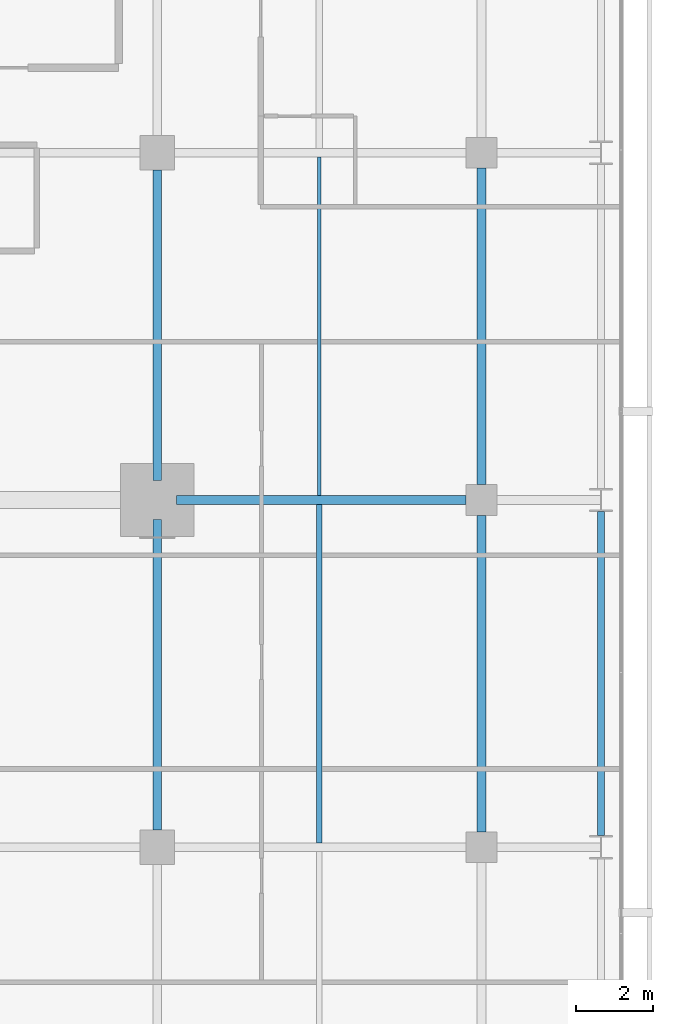
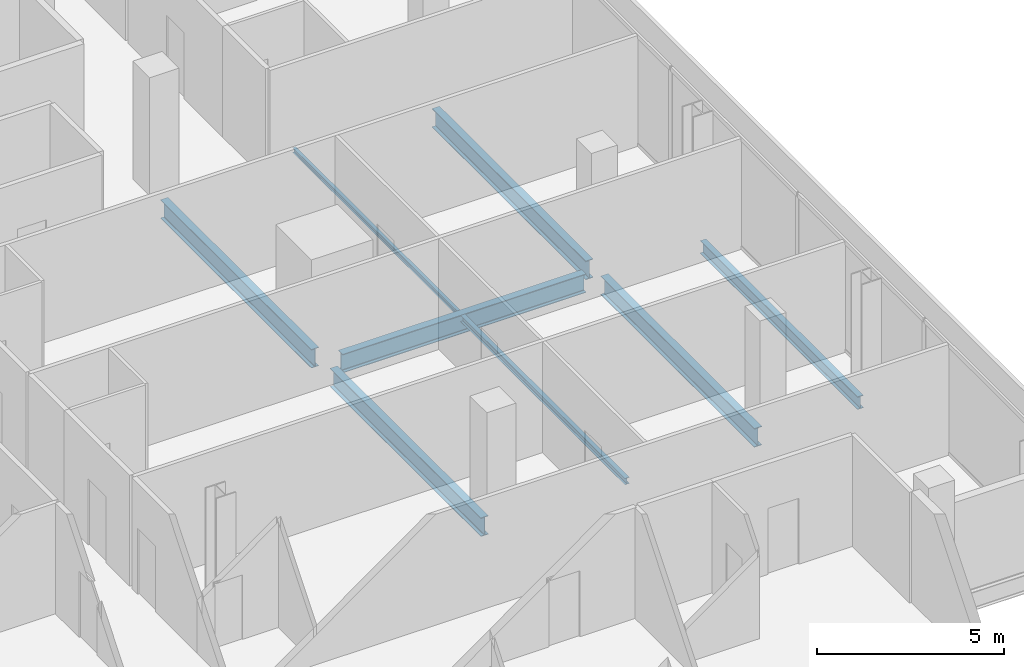
# One storey, part 16 of 33: 8 beams.
"""IFC4 building model written with IfcOpenShell, lengths in metres."""

from ifc_helpers import new_model, si_unit, direction, frame, origin, origin_2d, place, context, subcontext, project, spatial, i_section, extrude, material, material_profile, profile_set, type_object, element, save


model = new_model("IFC4")

# Units and contexts
model_context = context("Model", 3, precision=1e-05, world=origin(), true_north=direction((0.0, 1.0)))
body_context = subcontext(model_context, "Body", "Model", "MODEL_VIEW")
ifc_project = project(units=[si_unit("LENGTHUNIT", "METRE"), si_unit("AREAUNIT", "SQUARE_METRE"), si_unit("VOLUMEUNIT", "CUBIC_METRE"), si_unit("PLANEANGLEUNIT", "RADIAN"), si_unit("MASSUNIT", "GRAM", prefix="KILO")], contexts=[model_context])

# Site, building, storey
site_placement = place(None, origin())
site = spatial("IfcSite", under=ifc_project, at=site_placement, CompositionType="ELEMENT")
building_placement = place(site_placement, origin())
building = spatial("IfcBuilding", under=site, at=building_placement, Name="Maruvema Waterfront Hotel and Observation Tower", CompositionType="ELEMENT")
storey_placement = place(building_placement, frame((0.0, 0.0, 150.5)))
storey = spatial("IfcBuildingStorey", under=building, at=storey_placement, Name="L36", CompositionType="ELEMENT", Elevation=150.5)

# Beams
ifc_material_1 = material(Name="Steel ASTM A572 Grade 50", Category="steel")
ifc_material_profile_1 = material_profile(ifc_material_1, i_section(OverallWidth=0.180908203125, OverallDepth=0.4169921875, WebThickness=0.010986328125, FlangeThickness=0.018310546875, FilletRadius=0.014892578125, at=origin_2d()), Name="W410x85.0")
ifc_profile_set_1 = profile_set([ifc_material_profile_1], Name="Steel ASTM A572 Grade 50")
beam_type_1 = type_object("IfcBeamType", Name="Perimeter Spandrel Beam W410x85.0", PredefinedType="SPANDREL", material=ifc_profile_set_1)
beam_1_placement = place(storey_placement, frame((61.89990234375, 18.300048828125, -0.448486328125), z_axis=(0.0, 1.0, 0.0), x_axis=(-1.0, 0.0, 0.0)))
element("IfcBeam", 1, at=beam_1_placement, inside=storey, type_object=beam_type_1, Name="L36 Floor Girder NS-30", PredefinedType="SPANDREL", context=body_context, shape_type="SweptSolid", body=[
    extrude(i_section(OverallWidth=0.180908203125, OverallDepth=0.4169921875, WebThickness=0.010986328125, FlangeThickness=0.018310546875, FilletRadius=0.014892578125, at=origin_2d()), origin(), (0.0, 0.0, 1.0), 8.39990234375),
])
ifc_material_2 = material(Name="Steel ASTM A572 Grade 50", Category="steel")
ifc_material_profile_2 = material_profile(ifc_material_2, i_section(OverallWidth=0.22900390625, OverallDepth=0.612060546875, WebThickness=0.011962890625, FlangeThickness=0.01953125, FilletRadius=0.01806640625, at=origin_2d()), Name="W610x125.0")
ifc_profile_set_2 = profile_set([ifc_material_profile_2], Name="Steel ASTM A572 Grade 50")
beam_type_2 = type_object("IfcBeamType", Name="Primary Floor Girder W610x125.0", PredefinedType="BEAM", material=ifc_profile_set_2)
beam_2_placement = place(storey_placement, frame((50.89990234375, 27.0, -0.5458984375), z_axis=(1.0, 0.0, 0.0), x_axis=(0.0, 1.0, 0.0)))
element("IfcBeam", 2, at=beam_2_placement, inside=storey, type_object=beam_type_2, Name="L36 Floor Girder EW-21", PredefinedType="BEAM", context=body_context, shape_type="SweptSolid", body=[
    extrude(i_section(OverallWidth=0.22900390625, OverallDepth=0.612060546875, WebThickness=0.011962890625, FlangeThickness=0.01953125, FilletRadius=0.01806640625, at=origin_2d()), origin(), (0.0, 0.0, 1.0), 7.5),
])
for number, where, z_axis, x_axis, name in (
    (3, (50.39990234375, 18.449951171875, -0.5458984375), (0.0, 1.0, 0.0), (-1.0, 0.0, 0.0), "L36 Floor Girder NS-22"),
    (4, (50.39990234375, 27.5, -0.5458984375), (0.0, 1.0, 0.0), (-1.0, 0.0, 0.0), "L36 Floor Girder NS-23"),
):
    element("IfcBeam", number, at=place(storey_placement, frame(where, z_axis=z_axis, x_axis=x_axis)), inside=storey, type_object=beam_type_2, Name=name, PredefinedType="BEAM", context=body_context, shape_type="SweptSolid", body=[
        extrude(i_section(OverallWidth=0.22900390625, OverallDepth=0.612060546875, WebThickness=0.011962890625, FlangeThickness=0.01953125, FilletRadius=0.01806640625, at=origin_2d()), origin(), (0.0, 0.0, 1.0), 8.050048828125),
    ])
for number, where, z_axis, x_axis, name in (
    (5, (58.800048828125, 18.39990234375, -0.5458984375), (0.0, 1.0, 0.0), (-1.0, 0.0, 0.0), "L36 Floor Girder NS-26"),
    (6, (58.800048828125, 27.39990234375, -0.5458984375), (0.0, 1.0, 0.0), (-1.0, 0.0, 0.0), "L36 Floor Girder NS-27"),
):
    element("IfcBeam", number, at=place(storey_placement, frame(where, z_axis=z_axis, x_axis=x_axis)), inside=storey, type_object=beam_type_2, Name=name, PredefinedType="BEAM", context=body_context, shape_type="SweptSolid", body=[
        extrude(i_section(OverallWidth=0.22900390625, OverallDepth=0.612060546875, WebThickness=0.011962890625, FlangeThickness=0.01953125, FilletRadius=0.01806640625, at=origin_2d()), origin(), (0.0, 0.0, 1.0), 8.2001953125),
    ])
ifc_material_3 = material(Name="Steel ASTM A572 Grade 50", Category="steel")
ifc_material_profile_3 = material_profile(ifc_material_3, i_section(OverallWidth=0.10009765625, OverallDepth=0.153076171875, WebThickness=0.005859375, FlangeThickness=0.007080078125, FilletRadius=0.008056640625, at=origin_2d()), Name="W150x18.0")
ifc_profile_set_3 = profile_set([ifc_material_profile_3], Name="Steel ASTM A572 Grade 50")
beam_type_3 = type_object("IfcBeamType", Name="Secondary Floor Joist W150x18.0", PredefinedType="JOIST", material=ifc_profile_set_3)
beam_3_placement = place(storey_placement, frame((54.60009765625, 27.114501953125, -0.31640625), z_axis=(0.0, 1.0, 0.0), x_axis=(-1.0, 0.0, 0.0)))
element("IfcBeam", 7, at=beam_3_placement, inside=storey, type_object=beam_type_3, Name="L36 Secondary Floor Joist JS-13", PredefinedType="JOIST", context=body_context, shape_type="SweptSolid", body=[
    extrude(i_section(OverallWidth=0.10009765625, OverallDepth=0.153076171875, WebThickness=0.005859375, FlangeThickness=0.007080078125, FilletRadius=0.008056640625, at=origin_2d()), origin(), (0.0, 0.0, 1.0), 8.77099609375),
])
ifc_material_4 = material(Name="Steel ASTM A572 Grade 50", Category="steel")
ifc_material_profile_4 = material_profile(ifc_material_4, i_section(OverallWidth=0.133056640625, OverallDepth=0.20703125, WebThickness=0.005859375, FlangeThickness=0.00830078125, FilletRadius=0.010009765625, at=origin_2d()), Name="W200x26.6")
ifc_profile_set_4 = profile_set([ifc_material_profile_4], Name="Steel ASTM A572 Grade 50")
beam_type_4 = type_object("IfcBeamType", Name="Secondary Floor Joist W200x26.6", PredefinedType="JOIST", material=ifc_profile_set_4)
beam_4_placement = place(storey_placement, frame((54.60009765625, 18.114501953125, -0.343505859375), z_axis=(0.0, 1.0, 0.0), x_axis=(-1.0, 0.0, 0.0)))
element("IfcBeam", 8, at=beam_4_placement, inside=storey, type_object=beam_type_4, Name="L36 Secondary Floor Joist JS-12", PredefinedType="JOIST", context=body_context, shape_type="SweptSolid", body=[
    extrude(i_section(OverallWidth=0.133056640625, OverallDepth=0.20703125, WebThickness=0.005859375, FlangeThickness=0.00830078125, FilletRadius=0.010009765625, at=origin_2d()), origin(), (0.0, 0.0, 1.0), 8.77099609375),
])

save(model, "model.ifc")
